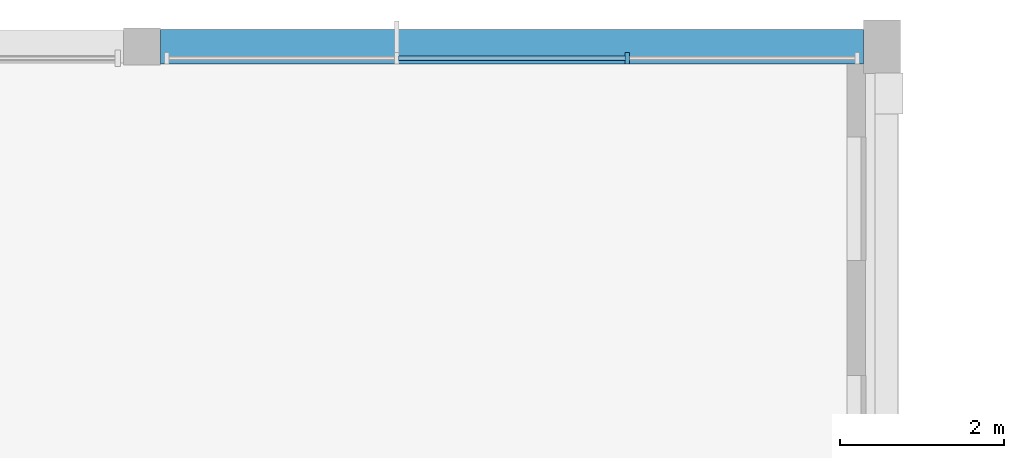
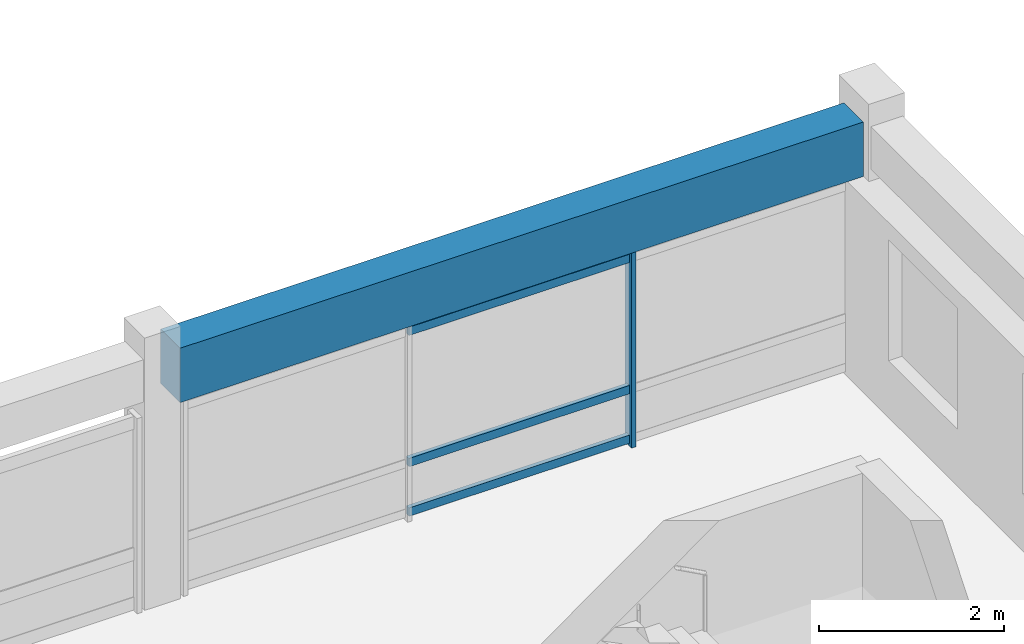
# One storey, part 28 of 74: 4 members, 1 beam, 1 element without a shape of its own.
"""IFC4 building model written with IfcOpenShell, lengths in metres."""

from ifc_helpers import new_model, si_unit, direction, frame, origin, origin_2d, place, context, subcontext, project, spatial, rectangle, extrude, material, material_profile, profile_set, type_object, element, aggregate, save


model = new_model("IFC4")

# Units and contexts
model_context = context("Model", 3, precision=1e-05, world=origin(), true_north=direction((0.0, 1.0)))
body_context = subcontext(model_context, "Body", "Model", "MODEL_VIEW")
ifc_project = project(units=[si_unit("LENGTHUNIT", "METRE"), si_unit("AREAUNIT", "SQUARE_METRE"), si_unit("VOLUMEUNIT", "CUBIC_METRE"), si_unit("PLANEANGLEUNIT", "RADIAN"), si_unit("MASSUNIT", "GRAM", prefix="KILO")], contexts=[model_context])

# Site, building, storey
site_placement = place(None, origin())
site = spatial("IfcSite", under=ifc_project, at=site_placement, CompositionType="ELEMENT")
building_placement = place(site_placement, origin())
building = spatial("IfcBuilding", under=site, at=building_placement, Name="Clarverna Civic Hall", CompositionType="ELEMENT")
storey_placement = place(building_placement, frame((0.0, 0.0, 13.199951171875)))
storey = spatial("IfcBuildingStorey", under=building, at=storey_placement, Name="L03", CompositionType="ELEMENT", Elevation=13.199951171875)

# Beam
ifc_material_1 = material(Name="Concrete C35/45", Category="concrete")
ifc_material_profile_1 = material_profile(ifc_material_1, rectangle(XDim=0.419921875, YDim=0.719970703125, at=origin_2d()), Name="RC 420x720")
ifc_profile_set_1 = profile_set([ifc_material_profile_1], Name="Concrete C35/45")
beam_type = type_object("IfcBeamType", Name="B-SP1", PredefinedType="SPANDREL", material=ifc_profile_set_1)
beam_placement = place(storey_placement, frame((57.824951171875, 116.0, 2.93994140625), z_axis=(1.0, 0.0, 0.0), x_axis=(0.0, 1.0, 0.0)))
element("IfcBeam", 1, at=beam_placement, inside=storey, type_object=beam_type, Name="B-SP1-116", PredefinedType="SPANDREL", context=body_context, shape_type="SweptSolid", body=[
    extrude(rectangle(XDim=0.419921875, YDim=0.719970703125, at=origin_2d()), origin(), (0.0, 0.0, 1.0), 8.550048828125),
])

# Curtain wall, members
ifc_material_2 = material(Name="Anodised Bronze Architectural Aluminium", Category="aluminium")
curtain_wall_type = type_object("IfcCurtainWallType", Name="CW-05", PredefinedType="USERDEFINED", material=ifc_material_2)
curtain_wall_placement = place(storey_placement, origin())
curtain_wall = element("IfcCurtainWall", 2, at=curtain_wall_placement, inside=storey, type_object=curtain_wall_type, Name="CW-05-008", ObjectType="UNITISED CURTAIN WALL", PredefinedType="USERDEFINED")
ifc_material_profile_2 = material_profile(ifc_material_2, rectangle(XDim=0.054931640625, YDim=0.139892578125, at=origin_2d()), Name="BRONZE 55x140")
ifc_profile_set_2 = profile_set([ifc_material_profile_2], Name="Anodised Bronze Architectural Aluminium")
member_type_1 = type_object("IfcMemberType", Name="CWM-04", PredefinedType="MULLION", material=ifc_profile_set_2)
member_1_placement = place(storey_placement, frame((63.500732421875, 115.860107421875, 0.0), z_axis=(0.0, 0.0, 1.0), x_axis=(1.0, 0.0, 0.0)))
member_1 = element("IfcMember", 3, at=member_1_placement, type_object=member_type_1, Name="CWM-04-178", PredefinedType="MULLION", context=body_context, shape_type="SweptSolid", body=[
    extrude(rectangle(XDim=0.054931640625, YDim=0.139892578125, at=origin_2d()), origin(), (0.0, 0.0, 1.0), 2.580078125),
])
ifc_material_profile_3 = material_profile(ifc_material_2, rectangle(XDim=0.054931640625, YDim=0.110107421875, at=origin_2d()), Name="BRONZE 55x110")
ifc_profile_set_3 = profile_set([ifc_material_profile_3], Name="Anodised Bronze Architectural Aluminium")
member_type_2 = type_object("IfcMemberType", Name="CWT-04", PredefinedType="USERDEFINED", material=ifc_profile_set_3)
member_2_placement = place(storey_placement, frame((60.71435546875, 115.860107421875, 0.094970703125), z_axis=(1.0, 0.0, 0.0), x_axis=(0.0, 1.0, 0.0)))
member_2 = element("IfcMember", 4, at=member_2_placement, type_object=member_type_2, Name="CWT-04-373", ObjectType="TRANSOM", PredefinedType="USERDEFINED", context=body_context, shape_type="SweptSolid", body=[
    extrude(rectangle(XDim=0.054931640625, YDim=0.110107421875, at=origin_2d()), origin(), (0.0, 0.0, 1.0), 2.771240234375),
])
member_3_placement = place(storey_placement, frame((60.71435546875, 115.860107421875, 0.75), z_axis=(1.0, 0.0, 0.0), x_axis=(0.0, 1.0, 0.0)))
member_3 = element("IfcMember", 5, at=member_3_placement, type_object=member_type_2, Name="CWT-04-374", ObjectType="TRANSOM", PredefinedType="USERDEFINED", context=body_context, shape_type="SweptSolid", body=[
    extrude(rectangle(XDim=0.054931640625, YDim=0.110107421875, at=origin_2d()), origin(), (0.0, 0.0, 1.0), 2.771240234375),
])
member_4_placement = place(storey_placement, frame((60.71435546875, 115.860107421875, 2.485107421875), z_axis=(1.0, 0.0, 0.0), x_axis=(0.0, 1.0, 0.0)))
member_4 = element("IfcMember", 6, at=member_4_placement, type_object=member_type_2, Name="CWT-04-375", ObjectType="TRANSOM", PredefinedType="USERDEFINED", context=body_context, shape_type="SweptSolid", body=[
    extrude(rectangle(XDim=0.054931640625, YDim=0.110107421875, at=origin_2d()), origin(), (0.0, 0.0, 1.0), 2.771240234375),
])
aggregate(curtain_wall, [member_1, member_2, member_3, member_4])

save(model, "model.ifc")
